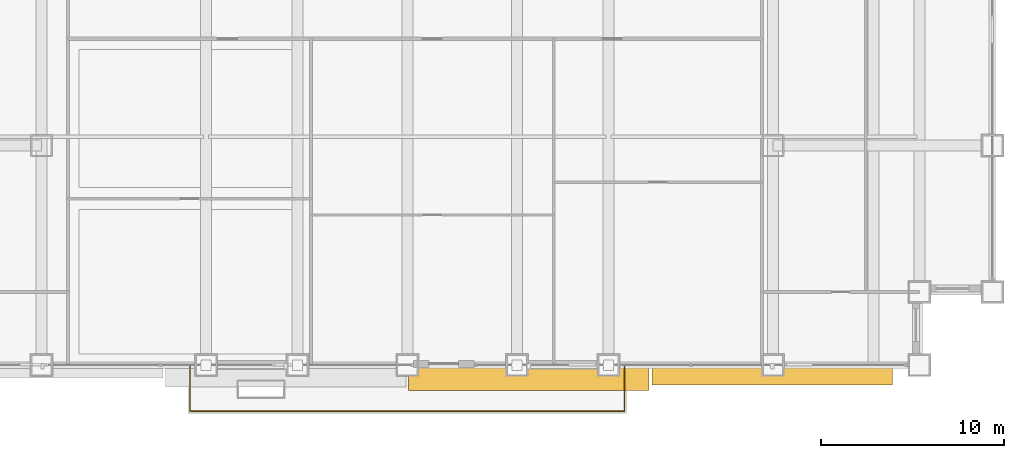
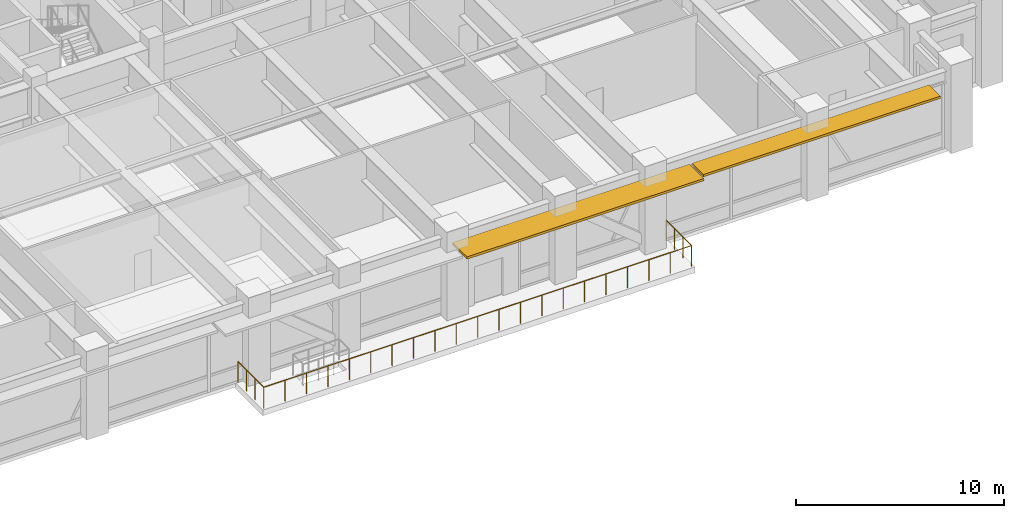
# One storey, part 31 of 34: 2 shading devices, 1 railing.
"""IFC4 building model written with IfcOpenShell, lengths in metres."""

from ifc_helpers import new_model, si_unit, direction, frame, origin, origin_2d, place, context, subcontext, project, spatial, rectangle, circle, extrude, source, transform, mapped, material, layer, layer_set, type_object, element, save


model = new_model("IFC4")

# Units and contexts
model_context = context("Model", 3, precision=1e-05, world=origin(), true_north=direction((0.0, 1.0)))
body_context = subcontext(model_context, "Body", "Model", "MODEL_VIEW")
ifc_project = project(units=[si_unit("LENGTHUNIT", "METRE"), si_unit("AREAUNIT", "SQUARE_METRE"), si_unit("VOLUMEUNIT", "CUBIC_METRE"), si_unit("PLANEANGLEUNIT", "RADIAN"), si_unit("MASSUNIT", "GRAM", prefix="KILO")], contexts=[model_context])

# Site, building, storey
site_placement = place(None, origin())
site = spatial("IfcSite", under=ifc_project, at=site_placement, CompositionType="ELEMENT")
building_placement = place(site_placement, origin())
building = spatial("IfcBuilding", under=site, at=building_placement, Name="Khorayat Bourse Tower", CompositionType="ELEMENT")
storey_placement = place(building_placement, frame((0.0, 0.0, 144.699951171875)))
storey = spatial("IfcBuildingStorey", under=building, at=storey_placement, Name="L33", CompositionType="ELEMENT", Elevation=144.699951171875)

# Shading devices
ifc_material_1 = material(Name="Precast concrete C45/55", Category="concrete")
ifc_layer = layer(ifc_material_1, 0.139892578125)
ifc_layer_set = layer_set([ifc_layer], Name="Precast concrete C45/55")
shading_device_type = type_object("IfcShadingDeviceType", Name="SHD-WAVE-TRAY-B", PredefinedType="USERDEFINED", material=ifc_layer_set)
shared_shape_1 = source(origin(), body_context, "Body", "SweptSolid", [
    extrude(rectangle(XDim=13.159912109375, YDim=1.3955078125, at=origin_2d()), origin(), (0.0, 0.0, 1.0), 0.139892578125),
])
shading_device_1_placement = place(storey_placement, frame((6.64990234375, -32.677734375, 3.85009765625), z_axis=(0.0, 0.0, 1.0), x_axis=(1.0, 0.0, 0.0)))
element("IfcShadingDevice", 1, at=shading_device_1_placement, inside=storey, type_object=shading_device_type, Name="L33 Sinusoidal Wave Sunshade Tray S-3", ObjectType="SUNSHADE", PredefinedType="USERDEFINED", context=body_context, shape_type="MappedRepresentation", body=[
    mapped(shared_shape_1, transform((0.0, 0.0, 0.0), scale=1.0)),
])
shared_shape_2 = source(origin(), body_context, "Body", "SweptSolid", [
    extrude(rectangle(XDim=13.159912109375, YDim=1.09814453125, at=origin_2d()), origin(), (0.0, 0.0, 1.0), 0.139892578125),
])
shading_device_2_placement = place(storey_placement, frame((19.949951171875, -32.529052734375, 3.85009765625), z_axis=(0.0, 0.0, 1.0), x_axis=(1.0, 0.0, 0.0)))
element("IfcShadingDevice", 2, at=shading_device_2_placement, inside=storey, type_object=shading_device_type, Name="L33 Sinusoidal Wave Sunshade Tray S-4", ObjectType="SUNSHADE", PredefinedType="USERDEFINED", context=body_context, shape_type="MappedRepresentation", body=[
    mapped(shared_shape_2, transform((0.0, 0.0, 0.0), scale=1.0)),
])

# Railing
ifc_material_2 = material(Name="Laminated glass and bronze balustrade", Category="glass")
railing_type = type_object("IfcRailingType", Name="RLG-TERR-1250", PredefinedType="GUARDRAIL", material=ifc_material_2)
shared_shape_3 = source(origin(), body_context, "Body", "SweptSolid", [
    extrude(circle(Radius=0.02392578125, at=origin_2d()), frame((0.0, 0.0, 1.22607421875), z_axis=(0.0, -1.0, 0.0), x_axis=(1.0, 0.0, 0.0)), (0.0, 0.0, 1.0), 2.47998046875),
    extrude(circle(Radius=0.02392578125, at=origin_2d()), frame((0.0, -2.47998046875, 1.22607421875), z_axis=(1.0, 0.0, 0.0), x_axis=(0.0, 1.0, 0.0)), (0.0, 0.0, 1.0), 23.759765625),
    extrude(circle(Radius=0.02392578125, at=origin_2d()), frame((23.759765625, -2.47998046875, 1.22607421875), z_axis=(0.0, 1.0, 0.0), x_axis=(-1.0, 0.0, 0.0)), (0.0, 0.0, 1.0), 2.47998046875),
    extrude(circle(Radius=0.02099609375, at=origin_2d()), origin(), (0.0, 0.0, 1.0), 1.201904296875),
    extrude(circle(Radius=0.02099609375, at=origin_2d()), frame((0.0, -0.82666015625, 0.0)), (0.0, 0.0, 1.0), 1.201904296875),
    extrude(circle(Radius=0.02099609375, at=origin_2d()), frame((0.0, -1.6533203125, 0.0)), (0.0, 0.0, 1.0), 1.201904296875),
    extrude(circle(Radius=0.02099609375, at=origin_2d()), frame((0.0, -2.47998046875, 0.0)), (0.0, 0.0, 1.0), 1.201904296875),
    extrude(circle(Radius=0.02099609375, at=origin_2d()), frame((1.18798828125, -2.47998046875, 0.0)), (0.0, 0.0, 1.0), 1.201904296875),
    extrude(circle(Radius=0.02099609375, at=origin_2d()), frame((2.3759765625, -2.47998046875, 0.0)), (0.0, 0.0, 1.0), 1.201904296875),
    extrude(circle(Radius=0.02099609375, at=origin_2d()), frame((3.56396484375, -2.47998046875, 0.0)), (0.0, 0.0, 1.0), 1.201904296875),
    extrude(circle(Radius=0.02099609375, at=origin_2d()), frame((4.751953125, -2.47998046875, 0.0)), (0.0, 0.0, 1.0), 1.201904296875),
    extrude(circle(Radius=0.02099609375, at=origin_2d()), frame((5.93994140625, -2.47998046875, 0.0)), (0.0, 0.0, 1.0), 1.201904296875),
    extrude(circle(Radius=0.02099609375, at=origin_2d()), frame((7.1279296875, -2.47998046875, 0.0)), (0.0, 0.0, 1.0), 1.201904296875),
    extrude(circle(Radius=0.02099609375, at=origin_2d()), frame((8.31591796875, -2.47998046875, 0.0)), (0.0, 0.0, 1.0), 1.201904296875),
    extrude(circle(Radius=0.02099609375, at=origin_2d()), frame((9.50390625, -2.47998046875, 0.0)), (0.0, 0.0, 1.0), 1.201904296875),
    extrude(circle(Radius=0.02099609375, at=origin_2d()), frame((10.69189453125, -2.47998046875, 0.0)), (0.0, 0.0, 1.0), 1.201904296875),
    extrude(circle(Radius=0.02099609375, at=origin_2d()), frame((11.8798828125, -2.47998046875, 0.0)), (0.0, 0.0, 1.0), 1.201904296875),
    extrude(circle(Radius=0.02099609375, at=origin_2d()), frame((13.06787109375, -2.47998046875, 0.0)), (0.0, 0.0, 1.0), 1.201904296875),
    extrude(circle(Radius=0.02099609375, at=origin_2d()), frame((14.255859375, -2.47998046875, 0.0)), (0.0, 0.0, 1.0), 1.201904296875),
    extrude(circle(Radius=0.02099609375, at=origin_2d()), frame((15.44384765625, -2.47998046875, 0.0)), (0.0, 0.0, 1.0), 1.201904296875),
    extrude(circle(Radius=0.02099609375, at=origin_2d()), frame((16.6318359375, -2.47998046875, 0.0)), (0.0, 0.0, 1.0), 1.201904296875),
    extrude(circle(Radius=0.02099609375, at=origin_2d()), frame((17.81982421875, -2.47998046875, 0.0)), (0.0, 0.0, 1.0), 1.201904296875),
    extrude(circle(Radius=0.02099609375, at=origin_2d()), frame((19.0078125, -2.47998046875, 0.0)), (0.0, 0.0, 1.0), 1.201904296875),
    extrude(circle(Radius=0.02099609375, at=origin_2d()), frame((20.19580078125, -2.47998046875, 0.0)), (0.0, 0.0, 1.0), 1.201904296875),
    extrude(circle(Radius=0.02099609375, at=origin_2d()), frame((21.3837890625, -2.47998046875, 0.0)), (0.0, 0.0, 1.0), 1.201904296875),
    extrude(circle(Radius=0.02099609375, at=origin_2d()), frame((22.57177734375, -2.47998046875, 0.0)), (0.0, 0.0, 1.0), 1.201904296875),
    extrude(circle(Radius=0.02099609375, at=origin_2d()), frame((23.759765625, -2.47998046875, 0.0)), (0.0, 0.0, 1.0), 1.201904296875),
    extrude(circle(Radius=0.02099609375, at=origin_2d()), frame((23.759765625, -1.6533203125, 0.0)), (0.0, 0.0, 1.0), 1.201904296875),
    extrude(circle(Radius=0.02099609375, at=origin_2d()), frame((23.759765625, -0.82666015625, 0.0)), (0.0, 0.0, 1.0), 1.201904296875),
    extrude(circle(Radius=0.02099609375, at=origin_2d()), frame((23.759765625, 0.0, 0.0)), (0.0, 0.0, 1.0), 1.201904296875),
])
railing_placement = place(storey_placement, frame((-11.8798828125, -32.050048828125, 0.0)))
element("IfcRailing", 3, at=railing_placement, inside=storey, type_object=railing_type, Name="L33 South Sky Garden Guardrail", PredefinedType="GUARDRAIL", context=body_context, shape_type="MappedRepresentation", body=[
    mapped(shared_shape_3, transform((0.0, 0.0, 0.0), scale=1.0)),
])

save(model, "model.ifc")
